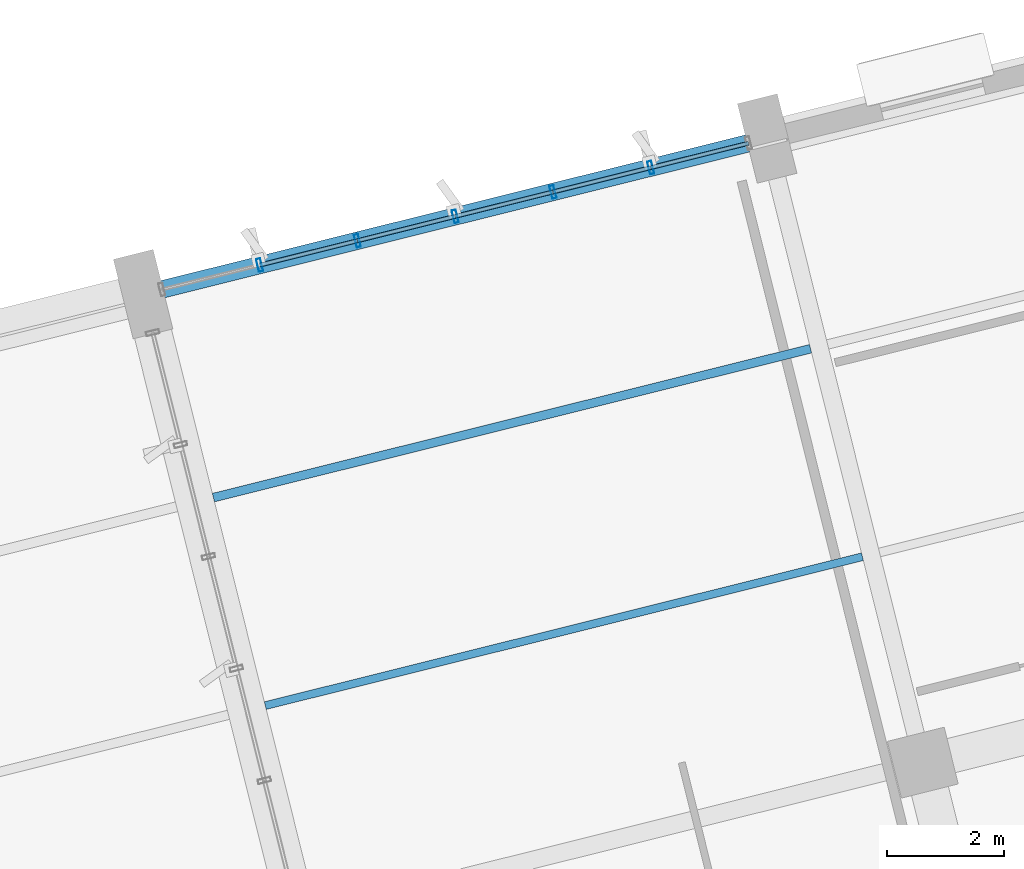
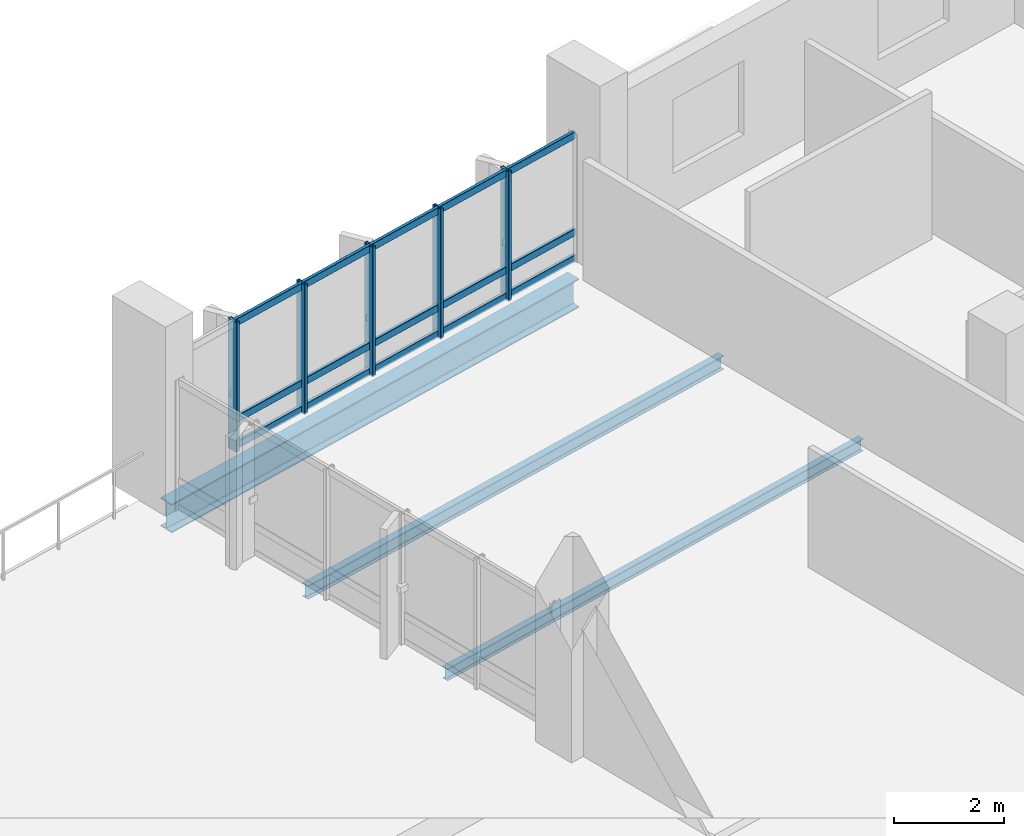
# One storey, part 45 of 75: 20 members, 3 beams, 1 element without a shape of its own.
"""IFC4 building model written with IfcOpenShell, lengths in metres."""

from ifc_helpers import new_model, si_unit, direction, frame, origin, origin_2d, place, context, subcontext, project, spatial, hollow_rectangle, i_section, extrude, material, layer, layer_set, material_profile, profile_set, type_object, element, aggregate, save


model = new_model("IFC4")

# Units and contexts
model_context = context("Model", 3, precision=1e-05, world=origin(), true_north=direction((0.0, 1.0)))
body_context = subcontext(model_context, "Body", "Model", "MODEL_VIEW")
ifc_project = project(units=[si_unit("LENGTHUNIT", "METRE"), si_unit("AREAUNIT", "SQUARE_METRE"), si_unit("VOLUMEUNIT", "CUBIC_METRE"), si_unit("PLANEANGLEUNIT", "RADIAN"), si_unit("MASSUNIT", "GRAM", prefix="KILO")], contexts=[model_context])

# Site, building, storey
site_placement = place(None, origin())
site = spatial("IfcSite", under=ifc_project, at=site_placement, CompositionType="ELEMENT")
building_placement = place(site_placement, origin())
building = spatial("IfcBuilding", under=site, at=building_placement, Name="Khorjan Park Terminus", CompositionType="ELEMENT")
storey_placement = place(building_placement, frame((0.0, 0.0, 16.2)))
storey = spatial("IfcBuildingStorey", under=building, at=storey_placement, Name="L03", CompositionType="ELEMENT", Elevation=16.2)

# Beams
ifc_material_1 = material(Name="Steel S355", Category="steel")
ifc_material_profile_1 = material_profile(ifc_material_1, i_section(OverallWidth=0.3, OverallDepth=0.64, WebThickness=0.0135, FlangeThickness=0.026, FilletRadius=0.027, at=origin_2d()), Name="HEA 650")
ifc_profile_set_1 = profile_set([ifc_material_profile_1], Name="Steel S355")
beam_type_1 = type_object("IfcBeamType", Name="BM-HEA650", PredefinedType="BEAM", material=ifc_profile_set_1)
beam_1_placement = place(storey_placement, frame((182.3877, 74.1064, -0.67), z_axis=(0.970295784153, 0.241921663468, 0.0), x_axis=(-0.241921663468, 0.970295784153, 0.0)))
element("IfcBeam", 1, at=beam_1_placement, inside=storey, type_object=beam_type_1, Name="Primary skew-grid floor girder SB-A65 (L03)", PredefinedType="BEAM", context=body_context, shape_type="SweptSolid", body=[
    extrude(i_section(OverallWidth=0.3, OverallDepth=0.64, WebThickness=0.0135, FlangeThickness=0.026, FilletRadius=0.027, at=origin_2d()), origin(), (0.0, 0.0, 1.0), 10.3099),
])
ifc_material_profile_2 = material_profile(ifc_material_1, i_section(OverallWidth=0.135, OverallDepth=0.27, WebThickness=0.0066, FlangeThickness=0.0102, FilletRadius=0.015, at=origin_2d()), Name="IPE 270")
ifc_profile_set_2 = profile_set([ifc_material_profile_2], Name="Steel S355")
beam_type_2 = type_object("IfcBeamType", Name="JS-IPE270", PredefinedType="JOIST", material=ifc_profile_set_2)
beam_2_placement = place(storey_placement, frame((184.1423, 66.9861, -0.485), z_axis=(0.970296558074, 0.241918559415, 0.0), x_axis=(-0.241918559415, 0.970296558074, 0.0)))
element("IfcBeam", 2, at=beam_2_placement, inside=storey, type_object=beam_type_2, Name="Secondary composite floor joist SJ-27 (L03)", PredefinedType="JOIST", context=body_context, shape_type="SweptSolid", body=[
    extrude(i_section(OverallWidth=0.135, OverallDepth=0.27, WebThickness=0.0066, FlangeThickness=0.0102, FilletRadius=0.015, at=origin_2d()), origin(), (0.0, 0.0, 1.0), 10.525),
])
ifc_material_profile_3 = material_profile(ifc_material_1, i_section(OverallWidth=0.15, OverallDepth=0.3, WebThickness=0.0071, FlangeThickness=0.0107, FilletRadius=0.015, at=origin_2d()), Name="IPE 300")
ifc_profile_set_3 = profile_set([ifc_material_profile_3], Name="Steel S355")
beam_type_3 = type_object("IfcBeamType", Name="JS-IPE300", PredefinedType="JOIST", material=ifc_profile_set_3)
beam_3_placement = place(storey_placement, frame((183.2553, 70.5438, -0.5), z_axis=(0.970296558074, 0.241918559415, 0.0), x_axis=(-0.241918559415, 0.970296558074, 0.0)))
element("IfcBeam", 3, at=beam_3_placement, inside=storey, type_object=beam_type_3, Name="Secondary composite floor joist SJ-30 (L03)", PredefinedType="JOIST", context=body_context, shape_type="SweptSolid", body=[
    extrude(i_section(OverallWidth=0.15, OverallDepth=0.3, WebThickness=0.0071, FlangeThickness=0.0107, FilletRadius=0.015, at=origin_2d()), origin(), (0.0, 0.0, 1.0), 10.525),
])

# Curtain wall, members
ifc_material_2 = material(Name="Anodized Bronze Aluminium", Category="aluminium")
ifc_layer = layer(ifc_material_2, 0.22)
ifc_layer_set = layer_set([ifc_layer], Name="Anodized Bronze Aluminium")
curtain_wall_type = type_object("IfcCurtainWallType", Name="CW-OPS-B", PredefinedType="NOTDEFINED", material=ifc_layer_set)
curtain_wall_placement = place(storey_placement, origin())
curtain_wall = element("IfcCurtainWall", 4, at=curtain_wall_placement, inside=storey, type_object=curtain_wall_type, Name="Unitized curtain wall CW-B (CW-V5-N-L03-B03)", PredefinedType="NOTDEFINED")
ifc_material_profile_4 = material_profile(ifc_material_2, hollow_rectangle(XDim=0.075, YDim=0.225, WallThickness=0.005, InnerFilletRadius=0.005, OuterFilletRadius=0.01, at=origin_2d()), Name="ALM 75x225x5")
ifc_profile_set_4 = profile_set([ifc_material_profile_4], Name="Anodized Bronze Aluminium")
member_type_1 = type_object("IfcMemberType", Name="ML-ALM-225", PredefinedType="MULLION", material=ifc_profile_set_4)
member_1_placement = place(storey_placement, frame((190.7337, 76.1873, -0.035), z_axis=(0.0, 0.0, 1.0), x_axis=(-0.970295910648, -0.241921156122, 0.0)))
member_1 = element("IfcMember", 5, at=member_1_placement, type_object=member_type_1, Name="Curtain-wall mullion ML-22 (CW-V5-N-L03-B03-1)", PredefinedType="MULLION", context=body_context, shape_type="SweptSolid", body=[
    extrude(hollow_rectangle(XDim=0.075, YDim=0.225, WallThickness=0.005, InnerFilletRadius=0.005, OuterFilletRadius=0.01, at=origin_2d()), origin(), (0.0, 0.0, 1.0), 2.885),
])
member_2_placement = place(storey_placement, frame((189.0616, 75.7704, -0.035), z_axis=(0.0, 0.0, 1.0), x_axis=(-0.970295910648, -0.241921156122, 0.0)))
member_2 = element("IfcMember", 6, at=member_2_placement, type_object=member_type_1, Name="Curtain-wall mullion ML-22 (CW-V5-N-L03-B03-2)", PredefinedType="MULLION", context=body_context, shape_type="SweptSolid", body=[
    extrude(hollow_rectangle(XDim=0.075, YDim=0.225, WallThickness=0.005, InnerFilletRadius=0.005, OuterFilletRadius=0.01, at=origin_2d()), origin(), (0.0, 0.0, 1.0), 2.885),
])
member_3_placement = place(storey_placement, frame((187.3895, 75.3535, -0.035), z_axis=(0.0, 0.0, 1.0), x_axis=(-0.970295910648, -0.241921156122, 0.0)))
member_3 = element("IfcMember", 7, at=member_3_placement, type_object=member_type_1, Name="Curtain-wall mullion ML-22 (CW-V5-N-L03-B03-3)", PredefinedType="MULLION", context=body_context, shape_type="SweptSolid", body=[
    extrude(hollow_rectangle(XDim=0.075, YDim=0.225, WallThickness=0.005, InnerFilletRadius=0.005, OuterFilletRadius=0.01, at=origin_2d()), origin(), (0.0, 0.0, 1.0), 2.885),
])
member_4_placement = place(storey_placement, frame((185.7174, 74.9366, -0.035), z_axis=(0.0, 0.0, 1.0), x_axis=(-0.970295910648, -0.241921156122, 0.0)))
member_4 = element("IfcMember", 8, at=member_4_placement, type_object=member_type_1, Name="Curtain-wall mullion ML-22 (CW-V5-N-L03-B03-4)", PredefinedType="MULLION", context=body_context, shape_type="SweptSolid", body=[
    extrude(hollow_rectangle(XDim=0.075, YDim=0.225, WallThickness=0.005, InnerFilletRadius=0.005, OuterFilletRadius=0.01, at=origin_2d()), origin(), (0.0, 0.0, 1.0), 2.885),
])
member_5_placement = place(storey_placement, frame((184.0453, 74.5197, -0.035), z_axis=(0.0, 0.0, 1.0), x_axis=(-0.970295910648, -0.241921156122, 0.0)))
member_5 = element("IfcMember", 9, at=member_5_placement, type_object=member_type_1, Name="Curtain-wall mullion ML-22 (CW-V5-N-L03-B03-5)", PredefinedType="MULLION", context=body_context, shape_type="SweptSolid", body=[
    extrude(hollow_rectangle(XDim=0.075, YDim=0.225, WallThickness=0.005, InnerFilletRadius=0.005, OuterFilletRadius=0.01, at=origin_2d()), origin(), (0.0, 0.0, 1.0), 2.885),
])
ifc_material_profile_5 = material_profile(ifc_material_2, hollow_rectangle(XDim=0.07, YDim=0.16, WallThickness=0.004, InnerFilletRadius=0.004, OuterFilletRadius=0.008, at=origin_2d()), Name="ALT 70x160x4")
ifc_profile_set_5 = profile_set([ifc_material_profile_5], Name="Anodized Bronze Aluminium")
member_type_2 = type_object("IfcMemberType", Name="TR-ALT-160", PredefinedType="USERDEFINED", material=ifc_profile_set_5)
member_6_placement = place(storey_placement, frame((192.4058, 76.6042, 0.04), z_axis=(-0.970295910649, -0.241921156121, 0.0), x_axis=(0.241921156121, -0.970295910649, 0.0)))
member_6 = element("IfcMember", 10, at=member_6_placement, type_object=member_type_2, Name="Curtain-wall transom TR-16 (CW-V5-N-L03-B03-0-1)", ObjectType="TRANSOM", PredefinedType="USERDEFINED", context=body_context, shape_type="SweptSolid", body=[
    extrude(hollow_rectangle(XDim=0.07, YDim=0.16, WallThickness=0.004, InnerFilletRadius=0.004, OuterFilletRadius=0.008, at=origin_2d()), origin(), (0.0, 0.0, 1.0), 1.7233),
])
member_7_placement = place(storey_placement, frame((192.4058, 76.6042, 0.619), z_axis=(-0.970295910649, -0.241921156121, 0.0), x_axis=(0.241921156121, -0.970295910649, 0.0)))
member_7 = element("IfcMember", 11, at=member_7_placement, type_object=member_type_2, Name="Curtain-wall transom TR-16 (CW-V5-N-L03-B03-0-2)", ObjectType="TRANSOM", PredefinedType="USERDEFINED", context=body_context, shape_type="SweptSolid", body=[
    extrude(hollow_rectangle(XDim=0.07, YDim=0.16, WallThickness=0.004, InnerFilletRadius=0.004, OuterFilletRadius=0.008, at=origin_2d()), origin(), (0.0, 0.0, 1.0), 1.7233),
])
member_8_placement = place(storey_placement, frame((192.4058, 76.6042, 2.775), z_axis=(-0.970295910649, -0.241921156121, 0.0), x_axis=(0.241921156121, -0.970295910649, 0.0)))
member_8 = element("IfcMember", 12, at=member_8_placement, type_object=member_type_2, Name="Curtain-wall transom TR-16 (CW-V5-N-L03-B03-0-3)", ObjectType="TRANSOM", PredefinedType="USERDEFINED", context=body_context, shape_type="SweptSolid", body=[
    extrude(hollow_rectangle(XDim=0.07, YDim=0.16, WallThickness=0.004, InnerFilletRadius=0.004, OuterFilletRadius=0.008, at=origin_2d()), origin(), (0.0, 0.0, 1.0), 1.7233),
])
member_9_placement = place(storey_placement, frame((190.7337, 76.1873, 0.04), z_axis=(-0.970295910649, -0.241921156121, 0.0), x_axis=(0.241921156121, -0.970295910649, 0.0)))
member_9 = element("IfcMember", 13, at=member_9_placement, type_object=member_type_2, Name="Curtain-wall transom TR-16 (CW-V5-N-L03-B03-1-1)", ObjectType="TRANSOM", PredefinedType="USERDEFINED", context=body_context, shape_type="SweptSolid", body=[
    extrude(hollow_rectangle(XDim=0.07, YDim=0.16, WallThickness=0.004, InnerFilletRadius=0.004, OuterFilletRadius=0.008, at=origin_2d()), origin(), (0.0, 0.0, 1.0), 1.7233),
])
member_10_placement = place(storey_placement, frame((190.7337, 76.1873, 0.619), z_axis=(-0.970295910649, -0.241921156121, 0.0), x_axis=(0.241921156121, -0.970295910649, 0.0)))
member_10 = element("IfcMember", 14, at=member_10_placement, type_object=member_type_2, Name="Curtain-wall transom TR-16 (CW-V5-N-L03-B03-1-2)", ObjectType="TRANSOM", PredefinedType="USERDEFINED", context=body_context, shape_type="SweptSolid", body=[
    extrude(hollow_rectangle(XDim=0.07, YDim=0.16, WallThickness=0.004, InnerFilletRadius=0.004, OuterFilletRadius=0.008, at=origin_2d()), origin(), (0.0, 0.0, 1.0), 1.7233),
])
member_11_placement = place(storey_placement, frame((190.7337, 76.1873, 2.775), z_axis=(-0.970295910649, -0.241921156121, 0.0), x_axis=(0.241921156121, -0.970295910649, 0.0)))
member_11 = element("IfcMember", 15, at=member_11_placement, type_object=member_type_2, Name="Curtain-wall transom TR-16 (CW-V5-N-L03-B03-1-3)", ObjectType="TRANSOM", PredefinedType="USERDEFINED", context=body_context, shape_type="SweptSolid", body=[
    extrude(hollow_rectangle(XDim=0.07, YDim=0.16, WallThickness=0.004, InnerFilletRadius=0.004, OuterFilletRadius=0.008, at=origin_2d()), origin(), (0.0, 0.0, 1.0), 1.7233),
])
member_12_placement = place(storey_placement, frame((189.0616, 75.7704, 0.04), z_axis=(-0.970295910649, -0.241921156121, 0.0), x_axis=(0.241921156121, -0.970295910649, 0.0)))
member_12 = element("IfcMember", 16, at=member_12_placement, type_object=member_type_2, Name="Curtain-wall transom TR-16 (CW-V5-N-L03-B03-2-1)", ObjectType="TRANSOM", PredefinedType="USERDEFINED", context=body_context, shape_type="SweptSolid", body=[
    extrude(hollow_rectangle(XDim=0.07, YDim=0.16, WallThickness=0.004, InnerFilletRadius=0.004, OuterFilletRadius=0.008, at=origin_2d()), origin(), (0.0, 0.0, 1.0), 1.7233),
])
member_13_placement = place(storey_placement, frame((189.0616, 75.7704, 0.619), z_axis=(-0.970295910649, -0.241921156121, 0.0), x_axis=(0.241921156121, -0.970295910649, 0.0)))
member_13 = element("IfcMember", 17, at=member_13_placement, type_object=member_type_2, Name="Curtain-wall transom TR-16 (CW-V5-N-L03-B03-2-2)", ObjectType="TRANSOM", PredefinedType="USERDEFINED", context=body_context, shape_type="SweptSolid", body=[
    extrude(hollow_rectangle(XDim=0.07, YDim=0.16, WallThickness=0.004, InnerFilletRadius=0.004, OuterFilletRadius=0.008, at=origin_2d()), origin(), (0.0, 0.0, 1.0), 1.7233),
])
member_14_placement = place(storey_placement, frame((189.0616, 75.7704, 2.775), z_axis=(-0.970295910649, -0.241921156121, 0.0), x_axis=(0.241921156121, -0.970295910649, 0.0)))
member_14 = element("IfcMember", 18, at=member_14_placement, type_object=member_type_2, Name="Curtain-wall transom TR-16 (CW-V5-N-L03-B03-2-3)", ObjectType="TRANSOM", PredefinedType="USERDEFINED", context=body_context, shape_type="SweptSolid", body=[
    extrude(hollow_rectangle(XDim=0.07, YDim=0.16, WallThickness=0.004, InnerFilletRadius=0.004, OuterFilletRadius=0.008, at=origin_2d()), origin(), (0.0, 0.0, 1.0), 1.7233),
])
member_15_placement = place(storey_placement, frame((187.3895, 75.3535, 0.04), z_axis=(-0.970295910649, -0.241921156121, 0.0), x_axis=(0.241921156121, -0.970295910649, 0.0)))
member_15 = element("IfcMember", 19, at=member_15_placement, type_object=member_type_2, Name="Curtain-wall transom TR-16 (CW-V5-N-L03-B03-3-1)", ObjectType="TRANSOM", PredefinedType="USERDEFINED", context=body_context, shape_type="SweptSolid", body=[
    extrude(hollow_rectangle(XDim=0.07, YDim=0.16, WallThickness=0.004, InnerFilletRadius=0.004, OuterFilletRadius=0.008, at=origin_2d()), origin(), (0.0, 0.0, 1.0), 1.7233),
])
member_16_placement = place(storey_placement, frame((187.3895, 75.3535, 0.619), z_axis=(-0.970295910649, -0.241921156121, 0.0), x_axis=(0.241921156121, -0.970295910649, 0.0)))
member_16 = element("IfcMember", 20, at=member_16_placement, type_object=member_type_2, Name="Curtain-wall transom TR-16 (CW-V5-N-L03-B03-3-2)", ObjectType="TRANSOM", PredefinedType="USERDEFINED", context=body_context, shape_type="SweptSolid", body=[
    extrude(hollow_rectangle(XDim=0.07, YDim=0.16, WallThickness=0.004, InnerFilletRadius=0.004, OuterFilletRadius=0.008, at=origin_2d()), origin(), (0.0, 0.0, 1.0), 1.7233),
])
member_17_placement = place(storey_placement, frame((187.3895, 75.3535, 2.775), z_axis=(-0.970295910649, -0.241921156121, 0.0), x_axis=(0.241921156121, -0.970295910649, 0.0)))
member_17 = element("IfcMember", 21, at=member_17_placement, type_object=member_type_2, Name="Curtain-wall transom TR-16 (CW-V5-N-L03-B03-3-3)", ObjectType="TRANSOM", PredefinedType="USERDEFINED", context=body_context, shape_type="SweptSolid", body=[
    extrude(hollow_rectangle(XDim=0.07, YDim=0.16, WallThickness=0.004, InnerFilletRadius=0.004, OuterFilletRadius=0.008, at=origin_2d()), origin(), (0.0, 0.0, 1.0), 1.7233),
])
member_18_placement = place(storey_placement, frame((185.7174, 74.9366, 0.04), z_axis=(-0.970295910649, -0.241921156121, 0.0), x_axis=(0.241921156121, -0.970295910649, 0.0)))
member_18 = element("IfcMember", 22, at=member_18_placement, type_object=member_type_2, Name="Curtain-wall transom TR-16 (CW-V5-N-L03-B03-4-1)", ObjectType="TRANSOM", PredefinedType="USERDEFINED", context=body_context, shape_type="SweptSolid", body=[
    extrude(hollow_rectangle(XDim=0.07, YDim=0.16, WallThickness=0.004, InnerFilletRadius=0.004, OuterFilletRadius=0.008, at=origin_2d()), origin(), (0.0, 0.0, 1.0), 1.7233),
])
member_19_placement = place(storey_placement, frame((185.7174, 74.9366, 0.619), z_axis=(-0.970295910649, -0.241921156121, 0.0), x_axis=(0.241921156121, -0.970295910649, 0.0)))
member_19 = element("IfcMember", 23, at=member_19_placement, type_object=member_type_2, Name="Curtain-wall transom TR-16 (CW-V5-N-L03-B03-4-2)", ObjectType="TRANSOM", PredefinedType="USERDEFINED", context=body_context, shape_type="SweptSolid", body=[
    extrude(hollow_rectangle(XDim=0.07, YDim=0.16, WallThickness=0.004, InnerFilletRadius=0.004, OuterFilletRadius=0.008, at=origin_2d()), origin(), (0.0, 0.0, 1.0), 1.7233),
])
member_20_placement = place(storey_placement, frame((185.7174, 74.9366, 2.775), z_axis=(-0.970295910649, -0.241921156121, 0.0), x_axis=(0.241921156121, -0.970295910649, 0.0)))
member_20 = element("IfcMember", 24, at=member_20_placement, type_object=member_type_2, Name="Curtain-wall transom TR-16 (CW-V5-N-L03-B03-4-3)", ObjectType="TRANSOM", PredefinedType="USERDEFINED", context=body_context, shape_type="SweptSolid", body=[
    extrude(hollow_rectangle(XDim=0.07, YDim=0.16, WallThickness=0.004, InnerFilletRadius=0.004, OuterFilletRadius=0.008, at=origin_2d()), origin(), (0.0, 0.0, 1.0), 1.7233),
])
aggregate(curtain_wall, [member_1, member_2, member_3, member_4, member_5, member_6, member_7, member_8, member_9, member_10, member_11, member_12, member_13, member_14, member_15, member_16, member_17, member_18, member_19, member_20])

save(model, "model.ifc")
